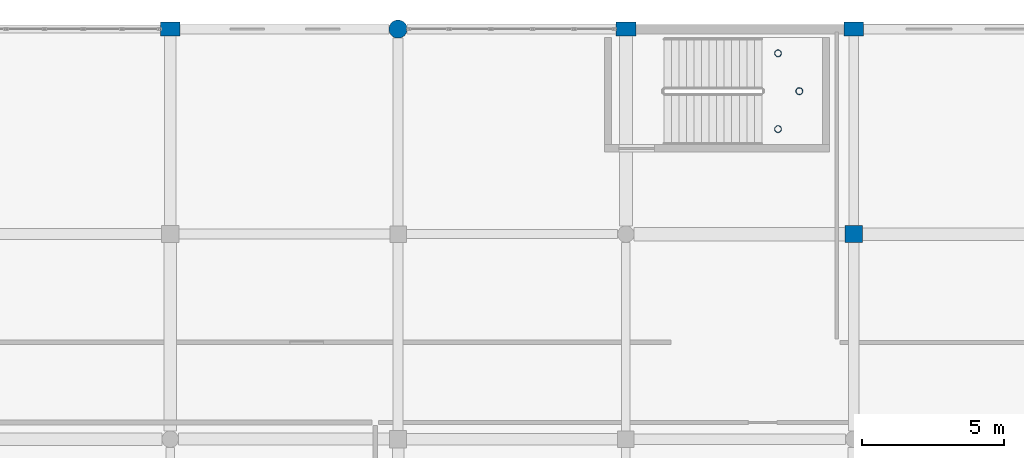
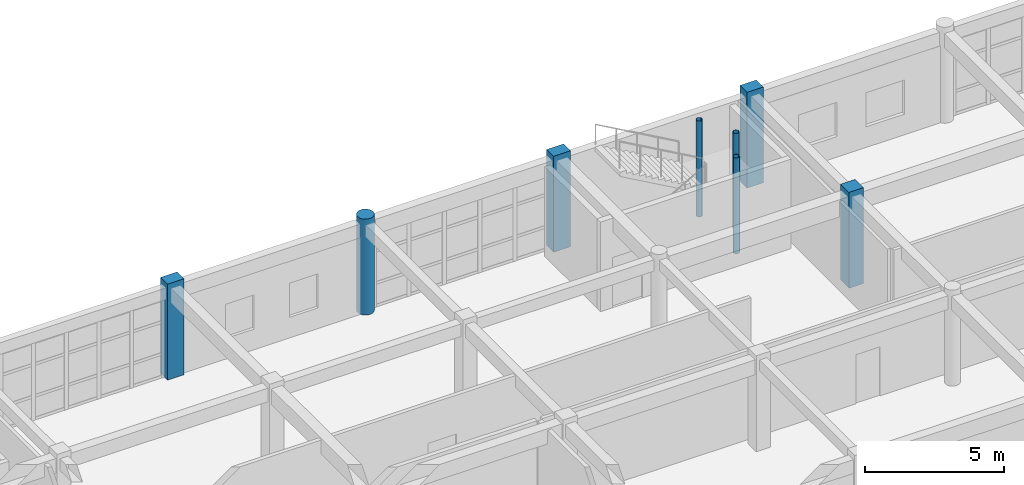
# One storey, part 7 of 53: 8 columns.
"""IFC4 building model written with IfcOpenShell, lengths in metres."""

from ifc_helpers import new_model, si_unit, direction, frame, origin, origin_2d, place, context, subcontext, project, spatial, rectangle, circle, hollow_circle, extrude, material, material_profile, profile_set, type_object, element, save


model = new_model("IFC4")

# Units and contexts
model_context = context("Model", 3, precision=1e-05, world=origin(), true_north=direction((0.0, 1.0)))
body_context = subcontext(model_context, "Body", "Model", "MODEL_VIEW")
ifc_project = project(units=[si_unit("LENGTHUNIT", "METRE"), si_unit("AREAUNIT", "SQUARE_METRE"), si_unit("VOLUMEUNIT", "CUBIC_METRE"), si_unit("PLANEANGLEUNIT", "RADIAN"), si_unit("MASSUNIT", "GRAM", prefix="KILO")], contexts=[model_context])

# Site, building, storey
site_placement = place(None, origin())
site = spatial("IfcSite", under=ifc_project, at=site_placement, CompositionType="ELEMENT")
building_placement = place(site_placement, origin())
building = spatial("IfcBuilding", under=site, at=building_placement, Name="Kharva Crest Polytechnic", CompositionType="ELEMENT")
storey_placement = place(building_placement, frame((0.0, 0.0, 17.39990234375)))
storey = spatial("IfcBuildingStorey", under=building, at=storey_placement, Name="L04", CompositionType="ELEMENT", Elevation=17.39990234375)

# Columns
ifc_material_1 = material(Name="Concrete C40/50", Category="concrete")
ifc_material_profile_1 = material_profile(ifc_material_1, rectangle(XDim=0.679931640625, YDim=0.5, at=origin_2d()), Name="RECT 680 X 500")
ifc_profile_set_1 = profile_set([ifc_material_profile_1], Name="Concrete C40/50")
column_type_1 = type_object("IfcColumnType", Name="COL-EXT-680X500", PredefinedType="COLUMN", material=ifc_profile_set_1)
for number, where, z_axis, x_axis, name in (
    (1, (128.800048828125, 122.0, 0.0), (0.0, 0.0, 1.0), (1.0, 0.0, 0.0), "L04 Column 17/S"),
    (2, (152.800048828125, 122.0, 0.0), (0.0, 0.0, 1.0), (1.0, 0.0, 0.0), "L04 Column 20/S"),
):
    element("IfcColumn", number, at=place(storey_placement, frame(where, z_axis=z_axis, x_axis=x_axis)), inside=storey, type_object=column_type_1, Name=name, PredefinedType="COLUMN", context=body_context, shape_type="SweptSolid", body=[
        extrude(rectangle(XDim=0.679931640625, YDim=0.5, at=origin_2d()), origin(), (0.0, 0.0, 1.0), 4.2001953125),
    ])
ifc_material_profile_2 = material_profile(ifc_material_1, rectangle(XDim=0.699951171875, YDim=0.5, at=origin_2d()), Name="RECT 700 X 500")
ifc_profile_set_2 = profile_set([ifc_material_profile_2], Name="Concrete C40/50")
column_type_2 = type_object("IfcColumnType", Name="COL-EXT-700X500", PredefinedType="COLUMN", material=ifc_profile_set_2)
column_1_placement = place(storey_placement, frame((144.800048828125, 122.0, 0.0), z_axis=(0.0, 0.0, 1.0), x_axis=(1.0, 0.0, 0.0)))
element("IfcColumn", 3, at=column_1_placement, inside=storey, type_object=column_type_2, Name="L04 Column 19/S", PredefinedType="COLUMN", context=body_context, shape_type="SweptSolid", body=[
    extrude(rectangle(XDim=0.699951171875, YDim=0.5, at=origin_2d()), origin(), (0.0, 0.0, 1.0), 4.2001953125),
])
ifc_material_profile_3 = material_profile(ifc_material_1, circle(Radius=0.320068359375, at=origin_2d()), Name="DIA 640")
ifc_profile_set_3 = profile_set([ifc_material_profile_3], Name="Concrete C40/50")
column_type_3 = type_object("IfcColumnType", Name="COL-EXT-DIA640", PredefinedType="COLUMN", material=ifc_profile_set_3)
column_2_placement = place(storey_placement, frame((136.800048828125, 122.0, 0.0), z_axis=(0.0, 0.0, 1.0), x_axis=(1.0, 0.0, 0.0)))
element("IfcColumn", 4, at=column_2_placement, inside=storey, type_object=column_type_3, Name="L04 Column 18/S", PredefinedType="COLUMN", context=body_context, shape_type="SweptSolid", body=[
    extrude(circle(Radius=0.320068359375, at=origin_2d()), origin(), (0.0, 0.0, 1.0), 4.2001953125),
])
ifc_material_profile_4 = material_profile(ifc_material_1, rectangle(XDim=0.60009765625, YDim=0.60009765625, at=origin_2d()), Name="RECT 600 X 600")
ifc_profile_set_4 = profile_set([ifc_material_profile_4], Name="Concrete C40/50")
column_type_4 = type_object("IfcColumnType", Name="COL-INT-600X600", PredefinedType="COLUMN", material=ifc_profile_set_4)
column_3_placement = place(storey_placement, frame((152.800048828125, 114.800048828125, 0.0), z_axis=(0.0, 0.0, 1.0), x_axis=(1.0, 0.0, 0.0)))
element("IfcColumn", 5, at=column_3_placement, inside=storey, type_object=column_type_4, Name="L04 Column 20/R", PredefinedType="COLUMN", context=body_context, shape_type="SweptSolid", body=[
    extrude(rectangle(XDim=0.60009765625, YDim=0.60009765625, at=origin_2d()), origin(), (0.0, 0.0, 1.0), 4.2001953125),
])
ifc_material_2 = material(Name="Steel S355", Category="steel")
ifc_material_profile_5 = material_profile(ifc_material_2, hollow_circle(Radius=0.122314453125, WallThickness=0.010009765625, at=origin_2d()), Name="CHS 244.5X10.0")
ifc_profile_set_5 = profile_set([ifc_material_profile_5], Name="Steel S355")
column_type_5 = type_object("IfcColumnType", Name="COL-STL-CHS244", PredefinedType="COLUMN", material=ifc_profile_set_5)
for number, where, z_axis, x_axis, name in (
    (6, (150.139892578125, 118.489990234375, 0.0), (0.0, 0.0, 1.0), (1.0, 0.0, 0.0), "L04 Stair ST-09 Landing Support Column SW"),
    (7, (150.139892578125, 121.14990234375, 0.0), (0.0, 0.0, 1.0), (1.0, 0.0, 0.0), "L04 Stair ST-09 Landing Support Column NW"),
    (8, (150.889892578125, 119.820068359375, 0.0), (0.0, 0.0, 1.0), (1.0, 0.0, 0.0), "L04 Stair ST-09 Landing Support Column EM"),
):
    element("IfcColumn", number, at=place(storey_placement, frame(where, z_axis=z_axis, x_axis=x_axis)), inside=storey, type_object=column_type_5, Name=name, PredefinedType="COLUMN", context=body_context, shape_type="SweptSolid", body=[
        extrude(hollow_circle(Radius=0.122314453125, WallThickness=0.010009765625, at=origin_2d()), origin(), (0.0, 0.0, 1.0), 4.2001953125),
    ])

save(model, "model.ifc")
